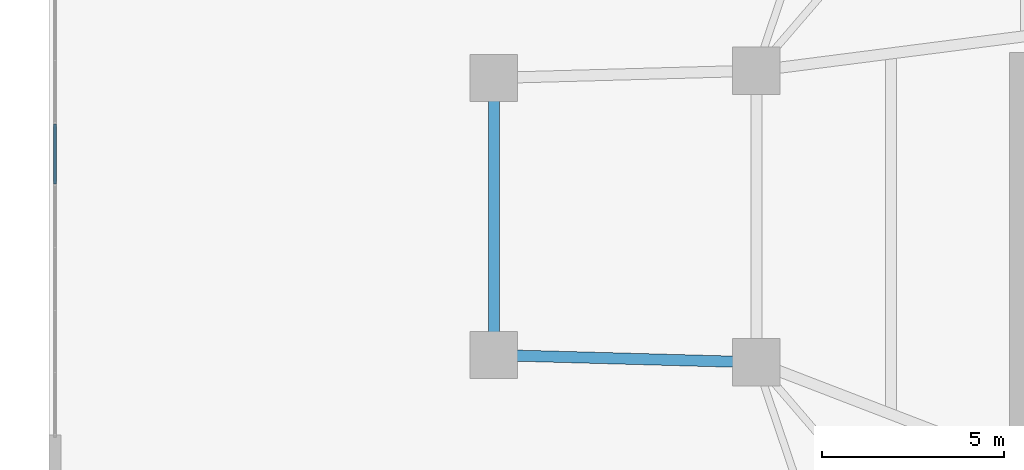
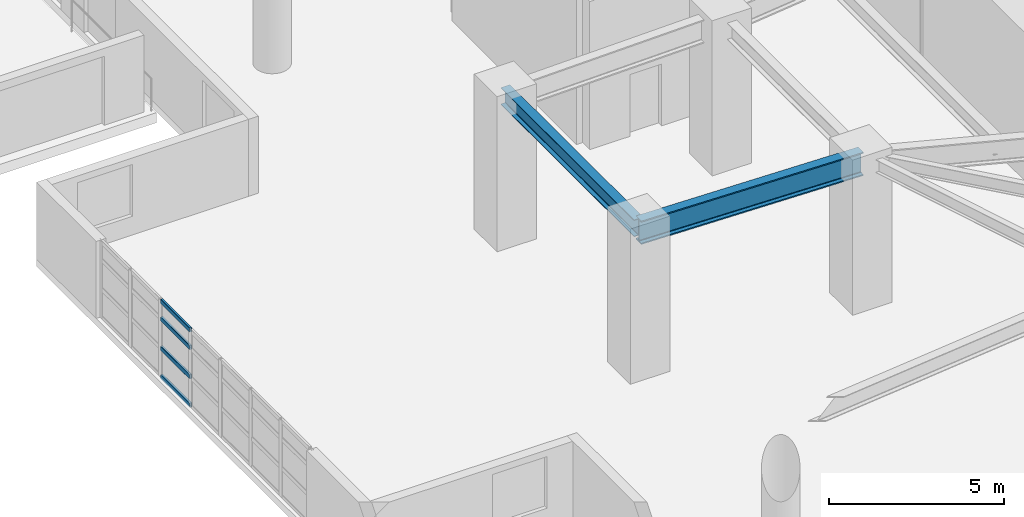
# One storey, part 5 of 24: 4 members, 2 beams, 1 element without a shape of its own.
"""IFC4 building model written with IfcOpenShell, lengths in metres."""

from ifc_helpers import new_model, si_unit, direction, frame, origin, origin_2d, place, context, subcontext, project, spatial, hollow_rectangle, i_section, extrude, material, layer, layer_set, material_profile, profile_set, type_object, element, aggregate, save


model = new_model("IFC4")

# Units and contexts
model_context = context("Model", 3, precision=1e-05, world=origin(), true_north=direction((0.0, 1.0)))
body_context = subcontext(model_context, "Body", "Model", "MODEL_VIEW")
ifc_project = project(units=[si_unit("LENGTHUNIT", "METRE"), si_unit("AREAUNIT", "SQUARE_METRE"), si_unit("VOLUMEUNIT", "CUBIC_METRE"), si_unit("PLANEANGLEUNIT", "RADIAN"), si_unit("MASSUNIT", "GRAM", prefix="KILO")], contexts=[model_context])

# Site, building, storey
site_placement = place(None, origin())
site = spatial("IfcSite", under=ifc_project, at=site_placement, CompositionType="ELEMENT")
building_placement = place(site_placement, origin())
building = spatial("IfcBuilding", under=site, at=building_placement, Name="Qingluan Cross Belvedere", CompositionType="ELEMENT")
storey_placement = place(building_placement, origin())
storey = spatial("IfcBuildingStorey", under=building, at=storey_placement, Name="L01", CompositionType="ELEMENT", Elevation=0.0)

# Curtain wall, members
ifc_material_1 = material(Name="Thermally broken aluminium and Low-E glass", Category="aluminium")
ifc_layer = layer(ifc_material_1, 0.199951171875, Name="UnitisedCW_PodiumArrival")
ifc_layer_set = layer_set([ifc_layer], Name="Thermally broken aluminium and Low-E glass")
curtain_wall_type = type_object("IfcCurtainWallType", Name="UnitisedCW_PodiumArrival", PredefinedType="USERDEFINED", material=ifc_layer_set)
curtain_wall_placement = place(storey_placement, origin())
curtain_wall = element("IfcCurtainWall", 1, at=curtain_wall_placement, inside=storey, type_object=curtain_wall_type, Name="UnitisedCW_PodiumArrival run env:cw:L01:W", ObjectType="UNITISED CURTAIN WALL", PredefinedType="USERDEFINED")
ifc_material_2 = material(Name="Aluminium alloy 6063-T6", Category="aluminium")
ifc_material_profile_1 = material_profile(ifc_material_2, hollow_rectangle(XDim=0.074951171875, YDim=0.14990234375, WallThickness=0.00390625, InnerFilletRadius=0.00390625, OuterFilletRadius=0.008056640625, at=origin_2d()), Name="CWT150x75x4")
ifc_profile_set_1 = profile_set([ifc_material_profile_1], Name="Aluminium alloy 6063-T6")
member_type = type_object("IfcMemberType", Name="CWTransom_150", PredefinedType="USERDEFINED", material=ifc_profile_set_1)
member_1_placement = place(storey_placement, frame((-39.0400390625, 0.88720703125, 0.030029296875), z_axis=(0.0, 1.0, 0.0), x_axis=(-1.0, 0.0, 0.0)))
member_1 = element("IfcMember", 2, at=member_1_placement, type_object=member_type, Name="CW-P1 transom 5.1", ObjectType="TRANSOM", PredefinedType="USERDEFINED", context=body_context, shape_type="SweptSolid", body=[
    extrude(hollow_rectangle(XDim=0.074951171875, YDim=0.14990234375, WallThickness=0.00390625, InnerFilletRadius=0.00390625, OuterFilletRadius=0.008056640625, at=origin_2d()), origin(), (0.0, 0.0, 1.0), 1.654296875),
])
member_2_placement = place(storey_placement, frame((-39.0400390625, 0.88720703125, 1.01806640625), z_axis=(0.0, 1.0, 0.0), x_axis=(-1.0, 0.0, 0.0)))
member_2 = element("IfcMember", 3, at=member_2_placement, type_object=member_type, Name="CW-P1 transom 5.2", ObjectType="TRANSOM", PredefinedType="USERDEFINED", context=body_context, shape_type="SweptSolid", body=[
    extrude(hollow_rectangle(XDim=0.074951171875, YDim=0.14990234375, WallThickness=0.00390625, InnerFilletRadius=0.00390625, OuterFilletRadius=0.008056640625, at=origin_2d()), origin(), (0.0, 0.0, 1.0), 1.654296875),
])
member_3_placement = place(storey_placement, frame((-39.0400390625, 0.88720703125, 2.037109375), z_axis=(0.0, 1.0, 0.0), x_axis=(-1.0, 0.0, 0.0)))
member_3 = element("IfcMember", 4, at=member_3_placement, type_object=member_type, Name="CW-P1 transom 5.3", ObjectType="TRANSOM", PredefinedType="USERDEFINED", context=body_context, shape_type="SweptSolid", body=[
    extrude(hollow_rectangle(XDim=0.074951171875, YDim=0.14990234375, WallThickness=0.00390625, InnerFilletRadius=0.00390625, OuterFilletRadius=0.008056640625, at=origin_2d()), origin(), (0.0, 0.0, 1.0), 1.654296875),
])
member_4_placement = place(storey_placement, frame((-39.0400390625, 0.88720703125, 2.64990234375), z_axis=(0.0, 1.0, 0.0), x_axis=(-1.0, 0.0, 0.0)))
member_4 = element("IfcMember", 5, at=member_4_placement, type_object=member_type, Name="CW-P1 transom 5.4", ObjectType="TRANSOM", PredefinedType="USERDEFINED", context=body_context, shape_type="SweptSolid", body=[
    extrude(hollow_rectangle(XDim=0.074951171875, YDim=0.14990234375, WallThickness=0.00390625, InnerFilletRadius=0.00390625, OuterFilletRadius=0.008056640625, at=origin_2d()), origin(), (0.0, 0.0, 1.0), 1.654296875),
])
aggregate(curtain_wall, [member_1, member_2, member_3, member_4])

# Beams
ifc_material_3 = material(Name="Steel Q420GJB", Category="steel")
ifc_material_profile_2 = material_profile(ifc_material_3, i_section(OverallWidth=0.300048828125, OverallDepth=0.587890625, WebThickness=0.011962890625, FlangeThickness=0.02001953125, FilletRadius=0.02392578125, at=origin_2d()), Name="HM588x300x12x20")
ifc_profile_set_2 = profile_set([ifc_material_profile_2], Name="Steel Q420GJB")
beam_type_1 = type_object("IfcBeamType", Name="Steel_Beam_HM588x300x12x20", PredefinedType="BEAM", material=ifc_profile_set_2)
beam_1_placement = place(storey_placement, frame((-27.0, -3.800048828125, 4.85595703125), z_axis=(0.0, 1.0, 0.0), x_axis=(-1.0, 0.0, 0.0)))
element("IfcBeam", 6, at=beam_1_placement, inside=storey, type_object=beam_type_1, Name="Arm W tip transverse beam L01", PredefinedType="BEAM", context=body_context, shape_type="SweptSolid", body=[
    extrude(i_section(OverallWidth=0.300048828125, OverallDepth=0.587890625, WebThickness=0.011962890625, FlangeThickness=0.02001953125, FilletRadius=0.02392578125, at=origin_2d()), origin(), (0.0, 0.0, 1.0), 7.60009765625),
])
ifc_material_4 = material(Name="Steel Q420GJB", Category="steel")
ifc_material_profile_3 = material_profile(ifc_material_4, i_section(OverallWidth=0.305908203125, OverallDepth=0.81396484375, WebThickness=0.02099609375, FlangeThickness=0.0400390625, FilletRadius=0.030029296875, at=origin_2d()), Name="HEM800")
ifc_profile_set_3 = profile_set([ifc_material_profile_3], Name="Steel Q420GJB")
beam_type_2 = type_object("IfcBeamType", Name="Steel_Girder_HEM800", PredefinedType="USERDEFINED", material=ifc_profile_set_3)
beam_2_placement = place(storey_placement, frame((-19.800048828125, -4.0, 4.742919921875), z_axis=(-0.999614603568, 0.027760481514, 0.0), x_axis=(-0.027760481514, -0.999614603568, 0.0)))
element("IfcBeam", 7, at=beam_2_placement, inside=storey, type_object=beam_type_2, Name="Arm W outer radial girder A L01", ObjectType="GIRDER", PredefinedType="USERDEFINED", context=body_context, shape_type="SweptSolid", body=[
    extrude(i_section(OverallWidth=0.305908203125, OverallDepth=0.81396484375, WebThickness=0.02099609375, FlangeThickness=0.0400390625, FilletRadius=0.030029296875, at=origin_2d()), origin(), (0.0, 0.0, 1.0), 7.20263671875),
])

save(model, "model.ifc")
